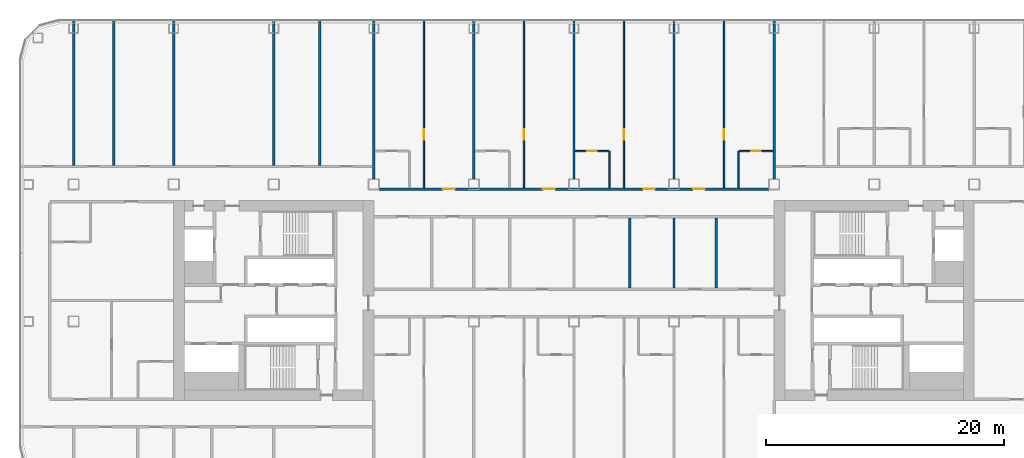
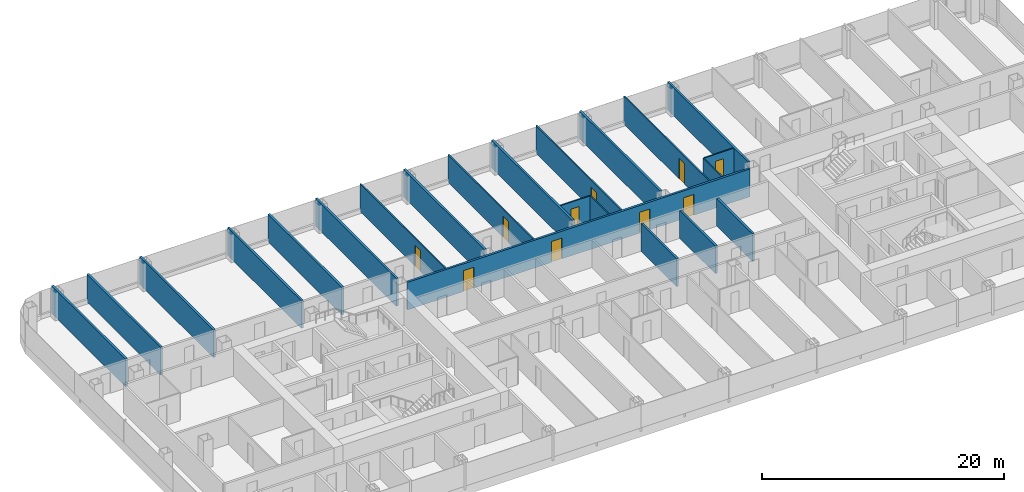
# One storey, part 18 of 29: 22 walls, 10 doors, 10 openings.
"""IFC4 building model written with IfcOpenShell, lengths in metres."""

from ifc_helpers import new_model, si_unit, direction, frame, frame_2d, origin, place, context, subcontext, project, spatial, rectangle, extrude, material, layer, layer_set, type_object, element, fill, save


model = new_model("IFC4")

# Units and contexts
model_context = context("Model", 3, precision=1e-05, world=origin(), true_north=direction((0.0, 1.0)))
body_context = subcontext(model_context, "Body", "Model", "MODEL_VIEW")
ifc_project = project(units=[si_unit("LENGTHUNIT", "METRE"), si_unit("AREAUNIT", "SQUARE_METRE"), si_unit("VOLUMEUNIT", "CUBIC_METRE"), si_unit("PLANEANGLEUNIT", "RADIAN"), si_unit("MASSUNIT", "GRAM", prefix="KILO")], contexts=[model_context])

# Site, building, storey
site_placement = place(None, origin())
site = spatial("IfcSite", under=ifc_project, at=site_placement, CompositionType="ELEMENT")
building_placement = place(site_placement, origin())
building = spatial("IfcBuilding", under=site, at=building_placement, Name="Hakoniwa Tower and Hamabe Station Hall", CompositionType="ELEMENT")
storey_placement = place(building_placement, frame((0.0, 0.0, 104.199951171875)))
storey = spatial("IfcBuildingStorey", under=building, at=storey_placement, Name="L29", CompositionType="ELEMENT", Elevation=104.199951171875)

# Wall, opening, door
ifc_material_1 = material(Name="Gypsum board partition", Category="gypsum")
ifc_layer_1 = layer(ifc_material_1, 0.125)
ifc_layer_set_1 = layer_set([ifc_layer_1], Name="Bathroom Partition 125")
wall_type_1 = type_object("IfcWallType", Name="Bathroom Partition 125", PredefinedType="PARTITIONING", material=ifc_layer_set_1)
wall_1_placement = place(storey_placement, frame((0.10009765625, 12.550048828125, 0.0), z_axis=(0.0, 0.0, 1.0), x_axis=(1.0, 0.0, 0.0)))
wall_1 = element("IfcWall", 1, at=wall_1_placement, inside=storey, type_object=wall_type_1, Name="GW-L29-025", PredefinedType="PARTITIONING", context=body_context, shape_type="SweptSolid", body=[
    extrude(rectangle(XDim=2.83740234375, YDim=0.125, at=frame_2d((1.418701171875, 0.0))), origin(), (0.0, 0.0, 1.0), 2.800048828125),
])
opening_1_placement = place(wall_1_placement, frame((1.0, 0.0, 0.0)))
opening_1 = element("IfcOpeningElement", 2, at=opening_1_placement, cuts=wall_1, Name="Opening GD-G2E1-52", PredefinedType="OPENING", context=body_context, shape_type="SweptSolid", body=[
    extrude(rectangle(XDim=0.800048828125, YDim=2.10009765625, at=frame_2d((0.39990234375, 1.050048828125))), frame((0.0, 0.072509765625, 0.0), z_axis=(0.0, -1.0, 0.0), x_axis=(1.0, 0.0, 0.0)), (0.0, 0.0, 1.0), 0.14501953125),
])
ifc_material_2 = material(Name="Timber door leaf", Category="wood")
door_type_1 = type_object("IfcDoorType", Name="Bathroom Door 800", OperationType="SINGLE_SWING_LEFT", PredefinedType="DOOR", material=ifc_material_2)
door_1_placement = place(opening_1_placement, origin())
door_1 = element("IfcDoor", 3, at=door_1_placement, inside=storey, type_object=door_type_1, Name="Door GD-G2E1-52", OperationType="SINGLE_SWING_LEFT", OverallHeight=2.10009765625, OverallWidth=0.800048828125, PredefinedType="DOOR", context=body_context, shape_type="SweptSolid", body=[
    extrude(rectangle(XDim=0.800048828125, YDim=2.10009765625, at=frame_2d((0.39990234375, 1.050048828125))), frame((0.0, 0.02490234375, 0.0), z_axis=(0.0, -1.0, 0.0), x_axis=(1.0, 0.0, 0.0)), (0.0, 0.0, 1.0), 0.050048828125),
])
fill(opening_1, door_1)

wall_2_placement = place(storey_placement, frame((13.862548828125, 12.550048828125, 0.0), z_axis=(0.0, 0.0, 1.0), x_axis=(1.0, 0.0, 0.0)))
wall_2 = element("IfcWall", 4, at=wall_2_placement, inside=storey, type_object=wall_type_1, Name="GW-L29-026", PredefinedType="PARTITIONING", context=body_context, shape_type="SweptSolid", body=[
    extrude(rectangle(XDim=2.83740234375, YDim=0.125, at=frame_2d((1.418701171875, 0.0))), origin(), (0.0, 0.0, 1.0), 2.800048828125),
])
opening_2_placement = place(wall_2_placement, frame((1.03759765625, 0.0, 0.0)))
opening_2 = element("IfcOpeningElement", 5, at=opening_2_placement, cuts=wall_2, Name="Opening GD-G2E1-53", PredefinedType="OPENING", context=body_context, shape_type="SweptSolid", body=[
    extrude(rectangle(XDim=0.800048828125, YDim=2.10009765625, at=frame_2d((0.39990234375, 1.050048828125))), frame((0.0, 0.072509765625, 0.0), z_axis=(0.0, -1.0, 0.0), x_axis=(1.0, 0.0, 0.0)), (0.0, 0.0, 1.0), 0.14501953125),
])
door_2_placement = place(opening_2_placement, origin())
door_2 = element("IfcDoor", 6, at=door_2_placement, inside=storey, type_object=door_type_1, Name="Door GD-G2E1-53", OperationType="SINGLE_SWING_RIGHT", OverallHeight=2.10009765625, OverallWidth=0.800048828125, PredefinedType="DOOR", context=body_context, shape_type="SweptSolid", body=[
    extrude(rectangle(XDim=0.800048828125, YDim=2.10009765625, at=frame_2d((0.39990234375, 1.050048828125))), frame((0.0, 0.02490234375, 0.0), z_axis=(0.0, -1.0, 0.0), x_axis=(1.0, 0.0, 0.0)), (0.0, 0.0, 1.0), 0.050048828125),
])
fill(opening_2, door_2)

# Walls
for number, where, z_axis, x_axis, name in (
    (7, (3.0, 9.449951171875, 0.0), (0.0, 0.0, 1.0), (0.0, 1.0, 0.0), "GW-L29-061"),
    (8, (13.800048828125, 9.449951171875, 0.0), (0.0, 0.0, 1.0), (0.0, 1.0, 0.0), "GW-L29-073"),
):
    element("IfcWall", number, at=place(storey_placement, frame(where, z_axis=z_axis, x_axis=x_axis)), inside=storey, type_object=wall_type_1, Name=name, PredefinedType="PARTITIONING", context=body_context, shape_type="SweptSolid", body=[
        extrude(rectangle(XDim=3.10009765625, YDim=0.125, at=frame_2d((1.550048828125, 0.0))), origin(), (0.0, 0.0, 1.0), 2.800048828125),
    ])

# Wall, openings, doors
ifc_material_3 = material(Name="Fire-rated gypsum board partition", Category="gypsum")
ifc_layer_2 = layer(ifc_material_3, 0.199951171875)
ifc_layer_set_2 = layer_set([ifc_layer_2], Name="Corridor Wall 200")
wall_type_2 = type_object("IfcWallType", Name="Corridor Wall 200", PredefinedType="PARTITIONING", material=ifc_layer_set_2)
wall_3_placement = place(storey_placement, frame((-16.360107421875, 9.35009765625, 0.0), z_axis=(0.0, 0.0, 1.0), x_axis=(1.0, 0.0, 0.0)))
wall_3 = element("IfcWall", 9, at=wall_3_placement, inside=storey, type_object=wall_type_2, Name="GW-L29-020", PredefinedType="PARTITIONING", context=body_context, shape_type="SweptSolid", body=[
    extrude(rectangle(XDim=32.72021484375, YDim=0.199951171875, at=frame_2d((16.360107421875, 0.0))), origin(), (0.0, 0.0, 1.0), 2.800048828125),
])
opening_3_placement = place(wall_3_placement, frame((5.360107421875, 0.0, 0.0)))
opening_3 = element("IfcOpeningElement", 10, at=opening_3_placement, cuts=wall_3, Name="Opening GD-G2E1-36", PredefinedType="OPENING", context=body_context, shape_type="SweptSolid", body=[
    extrude(rectangle(XDim=1.0, YDim=2.10009765625, at=frame_2d((0.5, 1.050048828125))), frame((0.0, 0.10986328125, 0.0), z_axis=(0.0, -1.0, 0.0), x_axis=(1.0, 0.0, 0.0)), (0.0, 0.0, 1.0), 0.219970703125),
])
opening_4_placement = place(wall_3_placement, frame((13.760009765625, 0.0, 0.0)))
opening_4 = element("IfcOpeningElement", 11, at=opening_4_placement, cuts=wall_3, Name="Opening GD-G2E1-37", PredefinedType="OPENING", context=body_context, shape_type="SweptSolid", body=[
    extrude(rectangle(XDim=1.0, YDim=2.10009765625, at=frame_2d((0.5, 1.050048828125))), frame((0.0, 0.10986328125, 0.0), z_axis=(0.0, -1.0, 0.0), x_axis=(1.0, 0.0, 0.0)), (0.0, 0.0, 1.0), 0.219970703125),
])
opening_5_placement = place(wall_3_placement, frame((22.159912109375, 0.0, 0.0)))
opening_5 = element("IfcOpeningElement", 12, at=opening_5_placement, cuts=wall_3, Name="Opening GD-G2E1-38", PredefinedType="OPENING", context=body_context, shape_type="SweptSolid", body=[
    extrude(rectangle(XDim=1.0, YDim=2.10009765625, at=frame_2d((0.5, 1.050048828125))), frame((0.0, 0.10986328125, 0.0), z_axis=(0.0, -1.0, 0.0), x_axis=(1.0, 0.0, 0.0)), (0.0, 0.0, 1.0), 0.219970703125),
])
opening_6_placement = place(wall_3_placement, frame((26.360107421875, 0.0, 0.0)))
opening_6 = element("IfcOpeningElement", 13, at=opening_6_placement, cuts=wall_3, Name="Opening GD-G2E1-39", PredefinedType="OPENING", context=body_context, shape_type="SweptSolid", body=[
    extrude(rectangle(XDim=1.0, YDim=2.10009765625, at=frame_2d((0.5, 1.050048828125))), frame((0.0, 0.10986328125, 0.0), z_axis=(0.0, -1.0, 0.0), x_axis=(1.0, 0.0, 0.0)), (0.0, 0.0, 1.0), 0.219970703125),
])
ifc_material_4 = material(Name="Timber door leaf", Category="wood")
door_type_2 = type_object("IfcDoorType", Name="Guest Entrance Door 1000", OperationType="SINGLE_SWING_LEFT", PredefinedType="DOOR", material=ifc_material_4)
door_3_placement = place(opening_3_placement, origin())
door_3 = element("IfcDoor", 14, at=door_3_placement, inside=storey, type_object=door_type_2, Name="Door GD-G2E1-36", OperationType="SINGLE_SWING_RIGHT", OverallHeight=2.10009765625, OverallWidth=1.0, PredefinedType="DOOR", context=body_context, shape_type="SweptSolid", body=[
    extrude(rectangle(XDim=1.0, YDim=2.10009765625, at=frame_2d((0.5, 1.050048828125))), frame((0.0, 0.02490234375, 0.0), z_axis=(0.0, -1.0, 0.0), x_axis=(1.0, 0.0, 0.0)), (0.0, 0.0, 1.0), 0.050048828125),
])
fill(opening_3, door_3)
door_4_placement = place(opening_4_placement, origin())
door_4 = element("IfcDoor", 15, at=door_4_placement, inside=storey, type_object=door_type_2, Name="Door GD-G2E1-37", OperationType="SINGLE_SWING_RIGHT", OverallHeight=2.10009765625, OverallWidth=1.0, PredefinedType="DOOR", context=body_context, shape_type="SweptSolid", body=[
    extrude(rectangle(XDim=1.0, YDim=2.10009765625, at=frame_2d((0.5, 1.050048828125))), frame((0.0, 0.02490234375, 0.0), z_axis=(0.0, -1.0, 0.0), x_axis=(1.0, 0.0, 0.0)), (0.0, 0.0, 1.0), 0.050048828125),
])
fill(opening_4, door_4)
door_5_placement = place(opening_5_placement, origin())
door_5 = element("IfcDoor", 16, at=door_5_placement, inside=storey, type_object=door_type_2, Name="Door GD-G2E1-38", OperationType="SINGLE_SWING_RIGHT", OverallHeight=2.10009765625, OverallWidth=1.0, PredefinedType="DOOR", context=body_context, shape_type="SweptSolid", body=[
    extrude(rectangle(XDim=1.0, YDim=2.10009765625, at=frame_2d((0.5, 1.050048828125))), frame((0.0, 0.02490234375, 0.0), z_axis=(0.0, -1.0, 0.0), x_axis=(1.0, 0.0, 0.0)), (0.0, 0.0, 1.0), 0.050048828125),
])
fill(opening_5, door_5)
door_6_placement = place(opening_6_placement, origin())
door_6 = element("IfcDoor", 17, at=door_6_placement, inside=storey, type_object=door_type_2, Name="Door GD-G2E1-39", OperationType="SINGLE_SWING_LEFT", OverallHeight=2.10009765625, OverallWidth=1.0, PredefinedType="DOOR", context=body_context, shape_type="SweptSolid", body=[
    extrude(rectangle(XDim=1.0, YDim=2.10009765625, at=frame_2d((0.5, 1.050048828125))), frame((0.0, 0.02490234375, 0.0), z_axis=(0.0, -1.0, 0.0), x_axis=(1.0, 0.0, 0.0)), (0.0, 0.0, 1.0), 0.050048828125),
])
fill(opening_6, door_6)

# Walls
ifc_material_5 = material(Name="Fire-rated gypsum board partition", Category="gypsum")
ifc_layer_3 = layer(ifc_material_5, 0.199951171875)
ifc_layer_set_3 = layer_set([ifc_layer_3], Name="Party Wall 200")
wall_type_3 = type_object("IfcWallType", Name="Party Wall 200", PredefinedType="PARTITIONING", material=ifc_layer_set_3)
for number, where, z_axis, x_axis, name in (
    (18, (-42.0, 11.35009765625, 0.0), (0.0, 0.0, 1.0), (0.0, 1.0, 0.0), "GW-L29-031"),
    (19, (-38.639892578125, 11.35009765625, 0.0), (0.0, 0.0, 1.0), (0.0, 1.0, 0.0), "GW-L29-034"),
    (20, (-33.60009765625, 11.35009765625, 0.0), (0.0, 0.0, 1.0), (0.0, 1.0, 0.0), "GW-L29-038"),
    (21, (-25.199951171875, 11.35009765625, 0.0), (0.0, 0.0, 1.0), (0.0, 1.0, 0.0), "GW-L29-041"),
    (22, (-21.340087890625, 11.35009765625, 0.0), (0.0, 0.0, 1.0), (0.0, 1.0, 0.0), "GW-L29-042"),
):
    element("IfcWall", number, at=place(storey_placement, frame(where, z_axis=z_axis, x_axis=x_axis)), inside=storey, type_object=wall_type_3, Name=name, PredefinedType="PARTITIONING", context=body_context, shape_type="SweptSolid", body=[
        extrude(rectangle(XDim=12.199951171875, YDim=0.199951171875, at=frame_2d((6.10009765625, 0.0))), origin(), (0.0, 0.0, 1.0), 2.800048828125),
    ])
for number, where, z_axis, x_axis, name in (
    (23, (-16.800048828125, 10.18994140625, 0.0), (0.0, 0.0, 1.0), (0.0, 1.0, 0.0), "GW-L29-044"),
    (24, (-8.39990234375, 10.18994140625, 0.0), (0.0, 0.0, 1.0), (0.0, 1.0, 0.0), "GW-L29-052"),
    (25, (0.0, 10.18994140625, 0.0), (0.0, 0.0, 1.0), (0.0, 1.0, 0.0), "GW-L29-060"),
):
    element("IfcWall", number, at=place(storey_placement, frame(where, z_axis=z_axis, x_axis=x_axis)), inside=storey, type_object=wall_type_3, Name=name, PredefinedType="PARTITIONING", context=body_context, shape_type="SweptSolid", body=[
        extrude(rectangle(XDim=13.360107421875, YDim=0.199951171875, at=frame_2d((6.68017578125, 0.0))), origin(), (0.0, 0.0, 1.0), 2.800048828125),
    ])
for number, where, z_axis, x_axis, name in (
    (26, (4.699951171875, 1.050048828125, 0.0), (0.0, 0.0, 1.0), (0.0, 1.0, 0.0), "GW-L29-064"),
    (27, (8.39990234375, 1.050048828125, 0.0), (0.0, 0.0, 1.0), (0.0, 1.0, 0.0), "GW-L29-067"),
):
    element("IfcWall", number, at=place(storey_placement, frame(where, z_axis=z_axis, x_axis=x_axis)), inside=storey, type_object=wall_type_3, Name=name, PredefinedType="PARTITIONING", context=body_context, shape_type="SweptSolid", body=[
        extrude(rectangle(XDim=5.89990234375, YDim=0.199951171875, at=frame_2d((2.949951171875, 0.0))), origin(), (0.0, 0.0, 1.0), 2.800048828125),
    ])
wall_4_placement = place(storey_placement, frame((8.39990234375, 10.18994140625, 0.0), z_axis=(0.0, 0.0, 1.0), x_axis=(0.0, 1.0, 0.0)))
element("IfcWall", 28, at=wall_4_placement, inside=storey, type_object=wall_type_3, Name="GW-L29-068", PredefinedType="PARTITIONING", context=body_context, shape_type="SweptSolid", body=[
    extrude(rectangle(XDim=13.360107421875, YDim=0.199951171875, at=frame_2d((6.68017578125, 0.0))), origin(), (0.0, 0.0, 1.0), 2.800048828125),
])
wall_5_placement = place(storey_placement, frame((11.929931640625, 1.050048828125, 0.0), z_axis=(0.0, 0.0, 1.0), x_axis=(0.0, 1.0, 0.0)))
element("IfcWall", 29, at=wall_5_placement, inside=storey, type_object=wall_type_3, Name="GW-L29-069", PredefinedType="PARTITIONING", context=body_context, shape_type="SweptSolid", body=[
    extrude(rectangle(XDim=5.89990234375, YDim=0.199951171875, at=frame_2d((2.949951171875, 0.0))), origin(), (0.0, 0.0, 1.0), 2.800048828125),
])
wall_6_placement = place(storey_placement, frame((16.800048828125, 10.18994140625, 0.0), z_axis=(0.0, 0.0, 1.0), x_axis=(0.0, 1.0, 0.0)))
element("IfcWall", 30, at=wall_6_placement, inside=storey, type_object=wall_type_3, Name="GW-L29-075", PredefinedType="PARTITIONING", context=body_context, shape_type="SweptSolid", body=[
    extrude(rectangle(XDim=13.360107421875, YDim=0.199951171875, at=frame_2d((6.68017578125, 0.0))), origin(), (0.0, 0.0, 1.0), 2.800048828125),
])

# Wall, opening, door
ifc_material_6 = material(Name="Gypsum board partition", Category="gypsum")
ifc_layer_4 = layer(ifc_material_6, 0.125)
ifc_layer_set_4 = layer_set([ifc_layer_4], Name="Room Partition 125")
wall_type_4 = type_object("IfcWallType", Name="Room Partition 125", PredefinedType="PARTITIONING", material=ifc_layer_set_4)
wall_7_placement = place(storey_placement, frame((-12.60009765625, 9.449951171875, 0.0), z_axis=(0.0, 0.0, 1.0), x_axis=(0.0, 1.0, 0.0)))
wall_7 = element("IfcWall", 31, at=wall_7_placement, inside=storey, type_object=wall_type_4, Name="GW-L29-048", PredefinedType="PARTITIONING", context=body_context, shape_type="SweptSolid", body=[
    extrude(rectangle(XDim=14.10009765625, YDim=0.125, at=frame_2d((7.050048828125, 0.0))), origin(), (0.0, 0.0, 1.0), 2.800048828125),
])
opening_7_placement = place(wall_7_placement, frame((4.050048828125, 0.0, 0.0)))
opening_7 = element("IfcOpeningElement", 32, at=opening_7_placement, cuts=wall_7, Name="Opening GD-G2E1-59", PredefinedType="OPENING", context=body_context, shape_type="SweptSolid", body=[
    extrude(rectangle(XDim=0.89990234375, YDim=2.10009765625, at=frame_2d((0.449951171875, 1.050048828125))), frame((0.0, 0.072509765625, 0.0), z_axis=(0.0, -1.0, 0.0), x_axis=(1.0, 0.0, 0.0)), (0.0, 0.0, 1.0), 0.14501953125),
])
ifc_material_7 = material(Name="Timber door leaf", Category="wood")
door_type_3 = type_object("IfcDoorType", Name="Suite Interior Door 900", OperationType="SINGLE_SWING_LEFT", PredefinedType="DOOR", material=ifc_material_7)
door_7_placement = place(opening_7_placement, origin())
door_7 = element("IfcDoor", 33, at=door_7_placement, inside=storey, type_object=door_type_3, Name="Door GD-G2E1-59", OperationType="SINGLE_SWING_LEFT", OverallHeight=2.10009765625, OverallWidth=0.89990234375, PredefinedType="DOOR", context=body_context, shape_type="SweptSolid", body=[
    extrude(rectangle(XDim=0.89990234375, YDim=2.10009765625, at=frame_2d((0.449951171875, 1.050048828125))), frame((0.0, 0.02490234375, 0.0), z_axis=(0.0, -1.0, 0.0), x_axis=(1.0, 0.0, 0.0)), (0.0, 0.0, 1.0), 0.050048828125),
])
fill(opening_7, door_7)

wall_8_placement = place(storey_placement, frame((-4.199951171875, 9.449951171875, 0.0), z_axis=(0.0, 0.0, 1.0), x_axis=(0.0, 1.0, 0.0)))
wall_8 = element("IfcWall", 34, at=wall_8_placement, inside=storey, type_object=wall_type_4, Name="GW-L29-056", PredefinedType="PARTITIONING", context=body_context, shape_type="SweptSolid", body=[
    extrude(rectangle(XDim=14.10009765625, YDim=0.125, at=frame_2d((7.050048828125, 0.0))), origin(), (0.0, 0.0, 1.0), 2.800048828125),
])
opening_8_placement = place(wall_8_placement, frame((4.050048828125, 0.0, 0.0)))
opening_8 = element("IfcOpeningElement", 35, at=opening_8_placement, cuts=wall_8, Name="Opening GD-G2E1-61", PredefinedType="OPENING", context=body_context, shape_type="SweptSolid", body=[
    extrude(rectangle(XDim=0.89990234375, YDim=2.10009765625, at=frame_2d((0.449951171875, 1.050048828125))), frame((0.0, 0.072509765625, 0.0), z_axis=(0.0, -1.0, 0.0), x_axis=(1.0, 0.0, 0.0)), (0.0, 0.0, 1.0), 0.14501953125),
])
door_8_placement = place(opening_8_placement, origin())
door_8 = element("IfcDoor", 36, at=door_8_placement, inside=storey, type_object=door_type_3, Name="Door GD-G2E1-61", OperationType="SINGLE_SWING_RIGHT", OverallHeight=2.10009765625, OverallWidth=0.89990234375, PredefinedType="DOOR", context=body_context, shape_type="SweptSolid", body=[
    extrude(rectangle(XDim=0.89990234375, YDim=2.10009765625, at=frame_2d((0.449951171875, 1.050048828125))), frame((0.0, 0.02490234375, 0.0), z_axis=(0.0, -1.0, 0.0), x_axis=(1.0, 0.0, 0.0)), (0.0, 0.0, 1.0), 0.050048828125),
])
fill(opening_8, door_8)

wall_9_placement = place(storey_placement, frame((4.199951171875, 9.449951171875, 0.0), z_axis=(0.0, 0.0, 1.0), x_axis=(0.0, 1.0, 0.0)))
wall_9 = element("IfcWall", 37, at=wall_9_placement, inside=storey, type_object=wall_type_4, Name="GW-L29-063", PredefinedType="PARTITIONING", context=body_context, shape_type="SweptSolid", body=[
    extrude(rectangle(XDim=14.10009765625, YDim=0.125, at=frame_2d((7.050048828125, 0.0))), origin(), (0.0, 0.0, 1.0), 2.800048828125),
])
opening_9_placement = place(wall_9_placement, frame((4.050048828125, 0.0, 0.0)))
opening_9 = element("IfcOpeningElement", 38, at=opening_9_placement, cuts=wall_9, Name="Opening GD-G2E1-63", PredefinedType="OPENING", context=body_context, shape_type="SweptSolid", body=[
    extrude(rectangle(XDim=0.89990234375, YDim=2.10009765625, at=frame_2d((0.449951171875, 1.050048828125))), frame((0.0, 0.072509765625, 0.0), z_axis=(0.0, -1.0, 0.0), x_axis=(1.0, 0.0, 0.0)), (0.0, 0.0, 1.0), 0.14501953125),
])
door_9_placement = place(opening_9_placement, origin())
door_9 = element("IfcDoor", 39, at=door_9_placement, inside=storey, type_object=door_type_3, Name="Door GD-G2E1-63", OperationType="SINGLE_SWING_RIGHT", OverallHeight=2.10009765625, OverallWidth=0.89990234375, PredefinedType="DOOR", context=body_context, shape_type="SweptSolid", body=[
    extrude(rectangle(XDim=0.89990234375, YDim=2.10009765625, at=frame_2d((0.449951171875, 1.050048828125))), frame((0.0, 0.02490234375, 0.0), z_axis=(0.0, -1.0, 0.0), x_axis=(1.0, 0.0, 0.0)), (0.0, 0.0, 1.0), 0.050048828125),
])
fill(opening_9, door_9)

wall_10_placement = place(storey_placement, frame((12.60009765625, 9.449951171875, 0.0), z_axis=(0.0, 0.0, 1.0), x_axis=(0.0, 1.0, 0.0)))
wall_10 = element("IfcWall", 40, at=wall_10_placement, inside=storey, type_object=wall_type_4, Name="GW-L29-071", PredefinedType="PARTITIONING", context=body_context, shape_type="SweptSolid", body=[
    extrude(rectangle(XDim=14.10009765625, YDim=0.125, at=frame_2d((7.050048828125, 0.0))), origin(), (0.0, 0.0, 1.0), 2.800048828125),
])
opening_10_placement = place(wall_10_placement, frame((4.050048828125, 0.0, 0.0)))
opening_10 = element("IfcOpeningElement", 41, at=opening_10_placement, cuts=wall_10, Name="Opening GD-G2E1-65", PredefinedType="OPENING", context=body_context, shape_type="SweptSolid", body=[
    extrude(rectangle(XDim=0.89990234375, YDim=2.10009765625, at=frame_2d((0.449951171875, 1.050048828125))), frame((0.0, 0.072509765625, 0.0), z_axis=(0.0, -1.0, 0.0), x_axis=(1.0, 0.0, 0.0)), (0.0, 0.0, 1.0), 0.14501953125),
])
door_10_placement = place(opening_10_placement, origin())
door_10 = element("IfcDoor", 42, at=door_10_placement, inside=storey, type_object=door_type_3, Name="Door GD-G2E1-65", OperationType="SINGLE_SWING_LEFT", OverallHeight=2.10009765625, OverallWidth=0.89990234375, PredefinedType="DOOR", context=body_context, shape_type="SweptSolid", body=[
    extrude(rectangle(XDim=0.89990234375, YDim=2.10009765625, at=frame_2d((0.449951171875, 1.050048828125))), frame((0.0, 0.02490234375, 0.0), z_axis=(0.0, -1.0, 0.0), x_axis=(1.0, 0.0, 0.0)), (0.0, 0.0, 1.0), 0.050048828125),
])
fill(opening_10, door_10)

save(model, "model.ifc")
